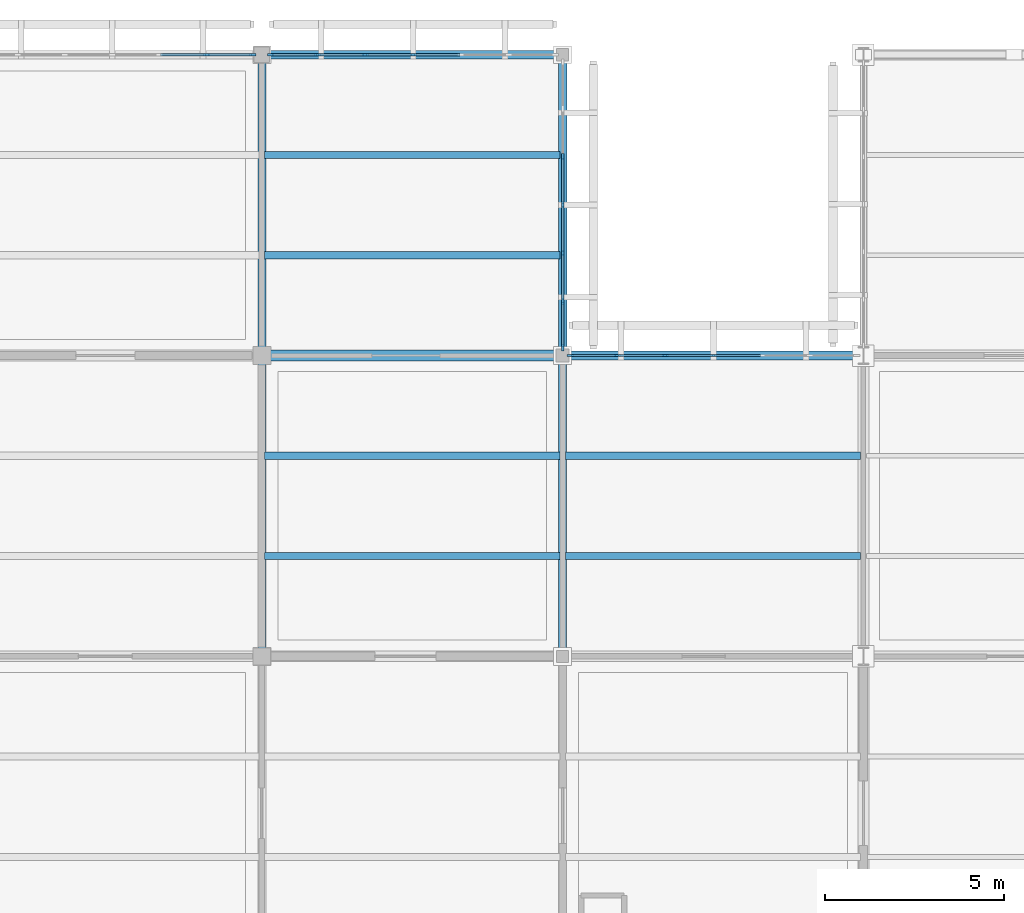
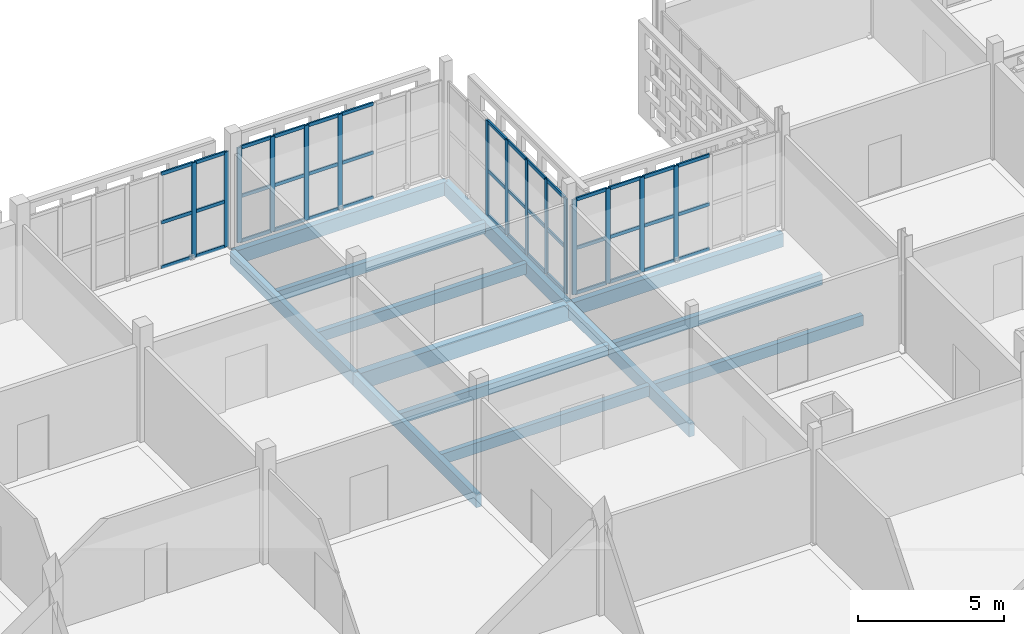
# One storey, part 49 of 203: 57 members, 13 beams, 4 elements without a shape of their own.
"""IFC4 building model written with IfcOpenShell, lengths in metres."""

import ifcopenshell
import ifcopenshell.guid

model = None  # the IFC model being written
_history = None  # IfcOwnerHistory: only IFC2X3 demands one
_inside = {}  # id of a spatial element -> (the spatial element, [elements in it])
_under = {}  # id of a project, library or spatial element -> (it, [spatial elements below it])
_declared = {}  # id of a project -> (the project, [libraries it declares])
_typed = {}  # id of a type object -> (the type object, [elements of that type])
_made_of = {}  # id of a material, layer set ... -> (it, [elements and type objects made of it])


def new_model(schema):
    """Start an empty IFC model of exactly this schema.

    Asked for "IFC4X3", IfcOpenShell would pick the latest addendum, in which some entities
    have other attributes; the version numbers below select the first issue.
    IFC2X3 requires an IfcOwnerHistory on every rooted entity: one is made here for all.
    """
    global model, _history
    if schema == "IFC4X3":
        model = ifcopenshell.file(schema_version=(4, 3, 0, 0))
    else:
        model = ifcopenshell.file(schema=schema)
    _inside.clear()
    _under.clear()
    _declared.clear()
    _typed.clear()
    _made_of.clear()
    _history = None
    if model.schema == "IFC2X3":
        org = make("IfcOrganization", Name="unknown")
        user = make(
            "IfcPersonAndOrganization",
            ThePerson=make("IfcPerson", FamilyName="unknown"),
            TheOrganization=org,
        )
        app = make(
            "IfcApplication",
            ApplicationDeveloper=org,
            Version="unknown",
            ApplicationFullName="unknown",
            ApplicationIdentifier="unknown",
        )
        _history = make(
            "IfcOwnerHistory",
            OwningUser=user,
            OwningApplication=app,
            ChangeAction="ADDED",
            CreationDate=0,
        )
    return model


def make(cls, **values):
    """One entity of the class cls with the attributes given. An attribute that is None is left unset."""
    return model.create_entity(
        cls, **{name: value for name, value in values.items() if value is not None}
    )


def rooted(cls, **values):
    """An entity with a GlobalId (a new one), such as an element, a storey or a relation."""
    return make(cls, GlobalId=ifcopenshell.guid.new(), OwnerHistory=_history, **values)


def si_unit(unit_type, name, prefix=None):
    """IfcSIUnit, for example si_unit("LENGTHUNIT", "METRE", prefix="MILLI")."""
    return make("IfcSIUnit", UnitType=unit_type, Prefix=prefix, Name=name)


def assignment(units):
    """IfcUnitAssignment: the units of a project."""
    return None if units is None else make("IfcUnitAssignment", Units=units)


def point(xyz):
    """IfcCartesianPoint."""
    return None if xyz is None else make("IfcCartesianPoint", Coordinates=xyz)


def direction(xyz):
    """IfcDirection."""
    return None if xyz is None else make("IfcDirection", DirectionRatios=xyz)


def frame(location, z_axis=None, x_axis=None):
    """IfcAxis2Placement3D, a coordinate frame: its origin and axes. An axis left out is left unset."""
    return make(
        "IfcAxis2Placement3D",
        Location=point(location),
        Axis=direction(z_axis),
        RefDirection=direction(x_axis),
    )


def frame_2d(location, x_axis=None):
    """IfcAxis2Placement2D, a coordinate frame in the plane: its origin and x axis."""
    return make(
        "IfcAxis2Placement2D", Location=point(location), RefDirection=direction(x_axis)
    )


def origin():
    """The frame at (0, 0, 0) with its axes left unset."""
    return frame((0.0, 0.0, 0.0))


def origin_2d():
    """The frame at (0, 0) in the plane with its x axis left unset."""
    return frame_2d((0.0, 0.0))


def place(relative_to, where):
    """IfcLocalPlacement: puts the frame where relative to a parent placement (None: the world)."""
    return make(
        "IfcLocalPlacement", PlacementRelTo=relative_to, RelativePlacement=where
    )


def context(
    kind, dimensions, precision=None, world=None, true_north=None, identifier=None
):
    """IfcGeometricRepresentationContext, for example the 3D "Model" context."""
    return make(
        "IfcGeometricRepresentationContext",
        ContextIdentifier=identifier,
        ContextType=kind,
        CoordinateSpaceDimension=dimensions,
        Precision=precision,
        WorldCoordinateSystem=world,
        TrueNorth=true_north,
    )


def subcontext(parent, identifier, kind, view, scale=None):
    """IfcGeometricRepresentationSubContext, for example "Body" below "Model"."""
    return make(
        "IfcGeometricRepresentationSubContext",
        ContextIdentifier=identifier,
        ContextType=kind,
        ParentContext=parent,
        TargetScale=scale,
        TargetView=view,
    )


def project(units=None, contexts=None):
    """IfcProject with its units and contexts."""
    return rooted(
        "IfcProject",
        Name="project",
        RepresentationContexts=contexts,
        UnitsInContext=assignment(units),
    )


def spatial(cls, under=None, at=None, **own):
    """A site, building, storey or space (cls), placed at a placement, below another one or the project."""
    s = rooted(cls, ObjectPlacement=at, **own)
    if under is not None:
        _under.setdefault(under.id(), (under, []))[1].append(s)
    return s


def profile(cls, at=None, kind="AREA", **sizes):
    """A parametric profile (cls). Its sizes go by their IFC names, for example OverallWidth=200.0."""
    return make(cls, ProfileType=kind, Position=at, **sizes)


def rectangle(**sizes):
    """IfcRectangleProfileDef."""
    return profile("IfcRectangleProfileDef", **sizes)


def extrude(swept, where, along, depth):
    """IfcExtrudedAreaSolid: the profile swept, set in the frame where, extruded along a direction by depth."""
    return make(
        "IfcExtrudedAreaSolid",
        SweptArea=swept,
        Position=where,
        ExtrudedDirection=direction(along),
        Depth=depth,
    )


def shape(context_of_items, identifier, shape_type, items):
    """IfcShapeRepresentation: the items that make up one representation, for example the "Body"."""
    return make(
        "IfcShapeRepresentation",
        ContextOfItems=context_of_items,
        RepresentationIdentifier=identifier,
        RepresentationType=shape_type,
        Items=items,
    )


def material(Name=None, Category=None):
    """IfcMaterial."""
    return make("IfcMaterial", Name=Name, Category=Category)


def layer(
    of_material, thickness, ventilated=None, Name=None, Category=None, Priority=None
):
    """IfcMaterialLayer: one layer of a wall or slab, of a material (None: an air gap)."""
    return make(
        "IfcMaterialLayer",
        Material=of_material,
        LayerThickness=thickness,
        IsVentilated=ventilated,
        Name=Name,
        Category=Category,
        Priority=Priority,
    )


def layer_set(layers, Name=None):
    """IfcMaterialLayerSet."""
    return make("IfcMaterialLayerSet", MaterialLayers=layers, LayerSetName=Name)


def material_profile(
    of_material, cross_section, Name=None, Category=None, Priority=None
):
    """IfcMaterialProfile: a cross section and its material."""
    return make(
        "IfcMaterialProfile",
        Name=Name,
        Material=of_material,
        Profile=cross_section,
        Priority=Priority,
        Category=Category,
    )


def profile_set(profiles, Name=None, composite=None):
    """IfcMaterialProfileSet."""
    return make(
        "IfcMaterialProfileSet",
        Name=Name,
        MaterialProfiles=profiles,
        CompositeProfile=composite,
    )


def made_of(thing, what):
    """Note that an element or type object is made of a material, layer set ...; save() writes the relation."""
    if what is not None:
        _made_of.setdefault(what.id(), (what, []))[1].append(thing)
    return thing


def type_object(cls, material=None, **own):
    """A type object (cls), such as IfcWallType, which elements share."""
    return made_of(rooted(cls, **own), material)


def element(
    cls,
    number,
    at=None,
    inside=None,
    cuts=None,
    type_object=None,
    material=None,
    context=None,
    identifier="Body",
    shape_type=None,
    held_by="IfcProductDefinitionShape",
    body=None,
    shapes=None,
    **own,
):
    """One element of the class cls, such as IfcWall. Its Tag is "e" and its number.

    at: its placement. inside: the storey or other place that contains it. cuts: it is an
    opening in that element (IfcRelVoidsElement). A single representation is given by context,
    identifier, shape_type and body (its items); several are given by shapes. held_by: the class
    of the entity that holds the representations. save() writes the other relations.
    """
    e = rooted(cls, Tag="e%d" % number, ObjectPlacement=at, **own)
    if body is not None:
        shapes = [shape(context, identifier, shape_type, body)]
    if shapes is not None:
        e.Representation = make(held_by, Representations=shapes)
    if inside is not None:
        _inside.setdefault(inside.id(), (inside, []))[1].append(e)
    if cuts is not None:
        rooted(
            "IfcRelVoidsElement", RelatingBuildingElement=cuts, RelatedOpeningElement=e
        )
    if type_object is not None:
        _typed.setdefault(type_object.id(), (type_object, []))[1].append(e)
    return made_of(e, material)


def aggregate(whole, parts):
    """IfcRelAggregates: a whole, such as a stair, and the parts it consists of."""
    return rooted("IfcRelAggregates", RelatingObject=whole, RelatedObjects=parts)


def save(model, path):
    """Write the relations noted so far, then the file.

    IfcRelAggregates (storeys below a building ...), IfcRelContainedInSpatialStructure (elements
    in a storey), IfcRelDefinesByType, IfcRelAssociatesMaterial and IfcRelDeclares: one each for
    every whole, place, type object, material and project.
    """
    for whole, parts in _under.values():
        aggregate(whole, parts)
    for where, things in _inside.values():
        rooted(
            "IfcRelContainedInSpatialStructure",
            RelatedElements=things,
            RelatingStructure=where,
        )
    for kind, things in _typed.values():
        rooted("IfcRelDefinesByType", RelatedObjects=things, RelatingType=kind)
    for what, things in _made_of.values():
        rooted("IfcRelAssociatesMaterial", RelatedObjects=things, RelatingMaterial=what)
    for by, libraries in _declared.values():
        rooted("IfcRelDeclares", RelatingContext=by, RelatedDefinitions=libraries)
    model.write(path)


model = new_model("IFC4")

# Units and contexts
model_context = context("Model", 3, precision=1e-05, world=origin(), true_north=direction((0.0, 1.0)))
body_context = subcontext(model_context, "Body", "Model", "MODEL_VIEW")
ifc_project = project(units=[si_unit("LENGTHUNIT", "METRE"), si_unit("AREAUNIT", "SQUARE_METRE"), si_unit("VOLUMEUNIT", "CUBIC_METRE"), si_unit("PLANEANGLEUNIT", "RADIAN"), si_unit("MASSUNIT", "GRAM", prefix="KILO")], contexts=[model_context])

# Site, building, storey
site_placement = place(None, origin())
site = spatial("IfcSite", under=ifc_project, at=site_placement, CompositionType="ELEMENT")
building_placement = place(site_placement, origin())
building = spatial("IfcBuilding", under=site, at=building_placement, Name="Varnapada Polytechnic", CompositionType="ELEMENT")
storey_placement = place(building_placement, frame((0.0, 0.0, 4.800048828125)))
storey = spatial("IfcBuildingStorey", under=building, at=storey_placement, Name="L01", CompositionType="ELEMENT", Elevation=4.800048828125)

# Beams
ifc_material_1 = material(Name="Glulam GL32h", Category="wood")
ifc_material_profile_1 = material_profile(ifc_material_1, rectangle(XDim=0.199951171875, YDim=0.43994140625, at=origin_2d()), Name="GL 200x440")
ifc_profile_set_1 = profile_set([ifc_material_profile_1], Name="Glulam GL32h")
beam_type_1 = type_object("IfcBeamType", Name="Heavy laboratory glulam joist GJ-03 (GL 200x440)", PredefinedType="JOIST", material=ifc_profile_set_1)
for number, where, z_axis, x_axis, name in (
    (1, (33.679931640625, 112.0, -0.469970703125), (1.0, 0.0, 0.0), (0.0, 1.0, 0.0), "L01 floor joist 5/14.1"),
    (2, (33.679931640625, 114.800048828125, -0.469970703125), (1.0, 0.0, 0.0), (0.0, 1.0, 0.0), "L01 floor joist 5/14.2"),
    (3, (33.679931640625, 120.39990234375, -0.469970703125), (1.0, 0.0, 0.0), (0.0, 1.0, 0.0), "L01 floor joist 5/15.1"),
    (4, (33.679931640625, 123.199951171875, -0.469970703125), (1.0, 0.0, 0.0), (0.0, 1.0, 0.0), "L01 floor joist 5/15.2"),
    (5, (42.080078125, 112.0, -0.47998046875), (1.0, 0.0, 0.0), (0.0, 1.0, 0.0), "L01 floor joist 6/14.1"),
    (6, (42.080078125, 114.800048828125, -0.47998046875), (1.0, 0.0, 0.0), (0.0, 1.0, 0.0), "L01 floor joist 6/14.2"),
):
    element("IfcBeam", number, at=place(storey_placement, frame(where, z_axis=z_axis, x_axis=x_axis)), inside=storey, type_object=beam_type_1, Name=name, PredefinedType="JOIST", context=body_context, shape_type="SweptSolid", body=[
        extrude(rectangle(XDim=0.199951171875, YDim=0.43994140625, at=origin_2d()), origin(), (0.0, 0.0, 1.0), 8.239990234375),
    ])
ifc_material_profile_2 = material_profile(ifc_material_1, rectangle(XDim=0.219970703125, YDim=0.52001953125, at=origin_2d()), Name="GL 220x520")
ifc_profile_set_2 = profile_set([ifc_material_profile_2], Name="Glulam GL32h")
beam_type_2 = type_object("IfcBeamType", Name="Laboratory transverse glulam beam GB-12 (GL 220x520)", PredefinedType="BEAM", material=ifc_profile_set_2)
beam_1_placement = place(storey_placement, frame((33.60009765625, 109.199951171875, -0.510009765625), z_axis=(0.0, 1.0, 0.0), x_axis=(-1.0, 0.0, 0.0)))
element("IfcBeam", 7, at=beam_1_placement, inside=storey, type_object=beam_type_2, Name="L01 beam Y 14-15 at X5", PredefinedType="BEAM", context=body_context, shape_type="SweptSolid", body=[
    extrude(rectangle(XDim=0.219970703125, YDim=0.52001953125, at=origin_2d()), origin(), (0.0, 0.0, 1.0), 8.400146484375),
])
beam_2_placement = place(storey_placement, frame((33.60009765625, 117.60009765625, -0.510009765625), z_axis=(0.0, 1.0, 0.0), x_axis=(-1.0, 0.0, 0.0)))
element("IfcBeam", 8, at=beam_2_placement, inside=storey, type_object=beam_type_2, Name="L01 beam Y 15-16 at X5", PredefinedType="BEAM", context=body_context, shape_type="SweptSolid", body=[
    extrude(rectangle(XDim=0.219970703125, YDim=0.52001953125, at=origin_2d()), origin(), (0.0, 0.0, 1.0), 8.39990234375),
])
beam_3_placement = place(storey_placement, frame((42.0, 109.199951171875, -0.510009765625), z_axis=(0.0, 1.0, 0.0), x_axis=(-1.0, 0.0, 0.0)))
element("IfcBeam", 9, at=beam_3_placement, inside=storey, type_object=beam_type_2, Name="L01 beam Y 14-15 at X6", PredefinedType="BEAM", context=body_context, shape_type="SweptSolid", body=[
    extrude(rectangle(XDim=0.219970703125, YDim=0.52001953125, at=origin_2d()), origin(), (0.0, 0.0, 1.0), 8.400146484375),
])

# Curtain wall, members
ifc_material_2 = material(Name="Double low-E laminated glass", Category="glass")
ifc_layer = layer(ifc_material_2, 0.179931640625)
ifc_layer_set = layer_set([ifc_layer], Name="Double low-E laminated glass")
curtain_wall_type = type_object("IfcCurtainWallType", Name="Curtain Wall CW-03", PredefinedType="NOTDEFINED", material=ifc_layer_set)
curtain_wall_1_placement = place(storey_placement, origin())
curtain_wall_1 = element("IfcCurtainWall", 10, at=curtain_wall_1_placement, inside=storey, type_object=curtain_wall_type, Name="L01 unitised curtain wall CW-03 (34)", PredefinedType="NOTDEFINED")
ifc_material_3 = material(Name="Anodised aluminium", Category="aluminium")
ifc_material_profile_3 = material_profile(ifc_material_3, rectangle(XDim=0.06494140625, YDim=0.179931640625, at=origin_2d()), Name="ALU M65x180")
ifc_profile_set_3 = profile_set([ifc_material_profile_3], Name="Anodised aluminium")
member_type_1 = type_object("IfcMemberType", Name="Mullion M-02", PredefinedType="MULLION", material=ifc_profile_set_3)
member_1_placement = place(storey_placement, frame((32.06005859375, 126.0, 0.0), z_axis=(0.0, 0.0, 1.0), x_axis=(0.0, 1.0, 0.0)))
member_1 = element("IfcMember", 11, at=member_1_placement, type_object=member_type_1, Name="CW-03 mullion 6", PredefinedType="MULLION", context=body_context, shape_type="SweptSolid", body=[
    extrude(rectangle(XDim=0.06494140625, YDim=0.179931640625, at=origin_2d()), origin(), (0.0, 0.0, 1.0), 3.9599609375),
])
member_2_placement = place(storey_placement, frame((33.347412109375, 126.0, 0.0), z_axis=(0.0, 0.0, 1.0), x_axis=(0.0, 1.0, 0.0)))
member_2 = element("IfcMember", 12, at=member_2_placement, type_object=member_type_1, Name="CW-03 mullion 7", PredefinedType="MULLION", context=body_context, shape_type="SweptSolid", body=[
    extrude(rectangle(XDim=0.06494140625, YDim=0.179931640625, at=origin_2d()), origin(), (0.0, 0.0, 1.0), 3.9599609375),
])

curtain_wall_2_placement = place(storey_placement, origin())
curtain_wall_2 = element("IfcCurtainWall", 13, at=curtain_wall_2_placement, inside=storey, type_object=curtain_wall_type, Name="L01 unitised curtain wall CW-03 (41)", PredefinedType="NOTDEFINED")
member_3_placement = place(storey_placement, frame((33.8525390625, 126.0, 0.0), z_axis=(0.0, 0.0, 1.0), x_axis=(0.0, 1.0, 0.0)))
member_3 = element("IfcMember", 14, at=member_3_placement, type_object=member_type_1, Name="CW-03 mullion 1", PredefinedType="MULLION", context=body_context, shape_type="SweptSolid", body=[
    extrude(rectangle(XDim=0.06494140625, YDim=0.179931640625, at=origin_2d()), origin(), (0.0, 0.0, 1.0), 3.9599609375),
])
member_4_placement = place(storey_placement, frame((35.155029296875, 126.0, 0.0), z_axis=(0.0, 0.0, 1.0), x_axis=(0.0, 1.0, 0.0)))
member_4 = element("IfcMember", 15, at=member_4_placement, type_object=member_type_1, Name="CW-03 mullion 2", PredefinedType="MULLION", context=body_context, shape_type="SweptSolid", body=[
    extrude(rectangle(XDim=0.06494140625, YDim=0.179931640625, at=origin_2d()), origin(), (0.0, 0.0, 1.0), 3.9599609375),
])
member_5_placement = place(storey_placement, frame((36.489990234375, 126.0, 0.0), z_axis=(0.0, 0.0, 1.0), x_axis=(0.0, 1.0, 0.0)))
member_5 = element("IfcMember", 16, at=member_5_placement, type_object=member_type_1, Name="CW-03 mullion 3", PredefinedType="MULLION", context=body_context, shape_type="SweptSolid", body=[
    extrude(rectangle(XDim=0.06494140625, YDim=0.179931640625, at=origin_2d()), origin(), (0.0, 0.0, 1.0), 3.9599609375),
])
member_6_placement = place(storey_placement, frame((37.824951171875, 126.0, 0.0), z_axis=(0.0, 0.0, 1.0), x_axis=(0.0, 1.0, 0.0)))
member_6 = element("IfcMember", 17, at=member_6_placement, type_object=member_type_1, Name="CW-03 mullion 4", PredefinedType="MULLION", context=body_context, shape_type="SweptSolid", body=[
    extrude(rectangle(XDim=0.06494140625, YDim=0.179931640625, at=origin_2d()), origin(), (0.0, 0.0, 1.0), 3.9599609375),
])

curtain_wall_3_placement = place(storey_placement, origin())
curtain_wall_3 = element("IfcCurtainWall", 18, at=curtain_wall_3_placement, inside=storey, type_object=curtain_wall_type, Name="L01 unitised curtain wall CW-03 (42)", PredefinedType="NOTDEFINED")
member_7_placement = place(storey_placement, frame((42.0, 123.146728515625, 0.0), z_axis=(0.0, 0.0, 1.0), x_axis=(1.0, 0.0, 0.0)))
member_7 = element("IfcMember", 19, at=member_7_placement, type_object=member_type_1, Name="CW-03 mullion 3", PredefinedType="MULLION", context=body_context, shape_type="SweptSolid", body=[
    extrude(rectangle(XDim=0.06494140625, YDim=0.179931640625, at=origin_2d()), origin(), (0.0, 0.0, 1.0), 3.9599609375),
])
member_8_placement = place(storey_placement, frame((42.0, 121.804931640625, 0.0), z_axis=(0.0, 0.0, 1.0), x_axis=(1.0, 0.0, 0.0)))
member_8 = element("IfcMember", 20, at=member_8_placement, type_object=member_type_1, Name="CW-03 mullion 4", PredefinedType="MULLION", context=body_context, shape_type="SweptSolid", body=[
    extrude(rectangle(XDim=0.06494140625, YDim=0.179931640625, at=origin_2d()), origin(), (0.0, 0.0, 1.0), 3.9599609375),
])
member_9_placement = place(storey_placement, frame((42.0, 120.46337890625, 0.0), z_axis=(0.0, 0.0, 1.0), x_axis=(1.0, 0.0, 0.0)))
member_9 = element("IfcMember", 21, at=member_9_placement, type_object=member_type_1, Name="CW-03 mullion 5", PredefinedType="MULLION", context=body_context, shape_type="SweptSolid", body=[
    extrude(rectangle(XDim=0.06494140625, YDim=0.179931640625, at=origin_2d()), origin(), (0.0, 0.0, 1.0), 3.9599609375),
])
member_10_placement = place(storey_placement, frame((42.0, 119.12158203125, 0.0), z_axis=(0.0, 0.0, 1.0), x_axis=(1.0, 0.0, 0.0)))
member_10 = element("IfcMember", 22, at=member_10_placement, type_object=member_type_1, Name="CW-03 mullion 6", PredefinedType="MULLION", context=body_context, shape_type="SweptSolid", body=[
    extrude(rectangle(XDim=0.06494140625, YDim=0.179931640625, at=origin_2d()), origin(), (0.0, 0.0, 1.0), 3.9599609375),
])
member_11_placement = place(storey_placement, frame((42.0, 117.8125, 0.0), z_axis=(0.0, 0.0, 1.0), x_axis=(1.0, 0.0, 0.0)))
member_11 = element("IfcMember", 23, at=member_11_placement, type_object=member_type_1, Name="CW-03 mullion 7", PredefinedType="MULLION", context=body_context, shape_type="SweptSolid", body=[
    extrude(rectangle(XDim=0.06494140625, YDim=0.179931640625, at=origin_2d()), origin(), (0.0, 0.0, 1.0), 3.9599609375),
])

curtain_wall_4_placement = place(storey_placement, origin())
curtain_wall_4 = element("IfcCurtainWall", 24, at=curtain_wall_4_placement, inside=storey, type_object=curtain_wall_type, Name="L01 unitised curtain wall CW-03 (47)", PredefinedType="NOTDEFINED")
member_12_placement = place(storey_placement, frame((42.21240234375, 117.60009765625, 0.0), z_axis=(0.0, 0.0, 1.0), x_axis=(0.0, 1.0, 0.0)))
member_12 = element("IfcMember", 25, at=member_12_placement, type_object=member_type_1, Name="CW-03 mullion 1", PredefinedType="MULLION", context=body_context, shape_type="SweptSolid", body=[
    extrude(rectangle(XDim=0.06494140625, YDim=0.179931640625, at=origin_2d()), origin(), (0.0, 0.0, 1.0), 3.9599609375),
])
member_13_placement = place(storey_placement, frame((43.52490234375, 117.60009765625, 0.0), z_axis=(0.0, 0.0, 1.0), x_axis=(0.0, 1.0, 0.0)))
member_13 = element("IfcMember", 26, at=member_13_placement, type_object=member_type_1, Name="CW-03 mullion 2", PredefinedType="MULLION", context=body_context, shape_type="SweptSolid", body=[
    extrude(rectangle(XDim=0.06494140625, YDim=0.179931640625, at=origin_2d()), origin(), (0.0, 0.0, 1.0), 3.9599609375),
])
member_14_placement = place(storey_placement, frame((44.8701171875, 117.60009765625, 0.0), z_axis=(0.0, 0.0, 1.0), x_axis=(0.0, 1.0, 0.0)))
member_14 = element("IfcMember", 27, at=member_14_placement, type_object=member_type_1, Name="CW-03 mullion 3", PredefinedType="MULLION", context=body_context, shape_type="SweptSolid", body=[
    extrude(rectangle(XDim=0.06494140625, YDim=0.179931640625, at=origin_2d()), origin(), (0.0, 0.0, 1.0), 3.9599609375),
])
member_15_placement = place(storey_placement, frame((46.215087890625, 117.60009765625, 0.0), z_axis=(0.0, 0.0, 1.0), x_axis=(0.0, 1.0, 0.0)))
member_15 = element("IfcMember", 28, at=member_15_placement, type_object=member_type_1, Name="CW-03 mullion 4", PredefinedType="MULLION", context=body_context, shape_type="SweptSolid", body=[
    extrude(rectangle(XDim=0.06494140625, YDim=0.179931640625, at=origin_2d()), origin(), (0.0, 0.0, 1.0), 3.9599609375),
])

# Beams
ifc_material_profile_4 = material_profile(ifc_material_1, rectangle(XDim=0.239990234375, YDim=0.56005859375, at=origin_2d()), Name="GL 240x560")
ifc_profile_set_4 = profile_set([ifc_material_profile_4], Name="Glulam GL32h")
beam_type_3 = type_object("IfcBeamType", Name="Perimeter glulam spandrel beam SP-02 (GL 240x560)", PredefinedType="SPANDREL", material=ifc_profile_set_4)
for number, where, z_axis, x_axis, name in (
    (29, (33.60009765625, 126.0, -0.530029296875), (1.0, 0.0, 0.0), (0.0, 1.0, 0.0), "L01 beam X 5-6 at Y16"),
    (30, (42.0, 117.60009765625, -0.5400390625), (1.0, 0.0, 0.0), (0.0, 1.0, 0.0), "L01 beam X 6-7 at Y15"),
    (31, (42.0, 117.60009765625, -0.530029296875), (0.0, 1.0, 0.0), (-1.0, 0.0, 0.0), "L01 beam Y 15-16 at X6"),
):
    element("IfcBeam", number, at=place(storey_placement, frame(where, z_axis=z_axis, x_axis=x_axis)), inside=storey, type_object=beam_type_3, Name=name, PredefinedType="SPANDREL", context=body_context, shape_type="SweptSolid", body=[
        extrude(rectangle(XDim=0.239990234375, YDim=0.56005859375, at=origin_2d()), origin(), (0.0, 0.0, 1.0), 8.39990234375),
    ])

# Member
ifc_material_profile_5 = material_profile(ifc_material_3, rectangle(XDim=0.06494140625, YDim=0.139892578125, at=origin_2d()), Name="ALU T65x140")
ifc_profile_set_5 = profile_set([ifc_material_profile_5], Name="Anodised aluminium")
member_type_2 = type_object("IfcMemberType", Name="Transom T-02", PredefinedType="USERDEFINED", material=ifc_profile_set_5)
member_16_placement = place(storey_placement, frame((30.7724609375, 126.0, 0.032470703125), z_axis=(1.0, 0.0, 0.0), x_axis=(0.0, 1.0, 0.0)))
member_16 = element("IfcMember", 32, at=member_16_placement, type_object=member_type_2, Name="CW-03 transom 5.1", ObjectType="TRANSOM", PredefinedType="USERDEFINED", context=body_context, shape_type="SweptSolid", body=[
    extrude(rectangle(XDim=0.06494140625, YDim=0.139892578125, at=origin_2d()), origin(), (0.0, 0.0, 1.0), 1.255126953125),
])

member_17_placement = place(storey_placement, frame((30.7724609375, 126.0, 1.900634765625), z_axis=(1.0, 0.0, 0.0), x_axis=(0.0, 1.0, 0.0)))
member_17 = element("IfcMember", 33, at=member_17_placement, type_object=member_type_2, Name="CW-03 transom 5.2", ObjectType="TRANSOM", PredefinedType="USERDEFINED", context=body_context, shape_type="SweptSolid", body=[
    extrude(rectangle(XDim=0.06494140625, YDim=0.139892578125, at=origin_2d()), origin(), (0.0, 0.0, 1.0), 1.255126953125),
])

member_18_placement = place(storey_placement, frame((30.7724609375, 126.0, 3.927490234375), z_axis=(1.0, 0.0, 0.0), x_axis=(0.0, 1.0, 0.0)))
member_18 = element("IfcMember", 34, at=member_18_placement, type_object=member_type_2, Name="CW-03 transom 5.3", ObjectType="TRANSOM", PredefinedType="USERDEFINED", context=body_context, shape_type="SweptSolid", body=[
    extrude(rectangle(XDim=0.06494140625, YDim=0.139892578125, at=origin_2d()), origin(), (0.0, 0.0, 1.0), 1.255126953125),
])

member_19_placement = place(storey_placement, frame((32.092529296875, 126.0, 0.032470703125), z_axis=(1.0, 0.0, 0.0), x_axis=(0.0, 1.0, 0.0)))
member_19 = element("IfcMember", 35, at=member_19_placement, type_object=member_type_2, Name="CW-03 transom 6.1", ObjectType="TRANSOM", PredefinedType="USERDEFINED", context=body_context, shape_type="SweptSolid", body=[
    extrude(rectangle(XDim=0.06494140625, YDim=0.139892578125, at=origin_2d()), origin(), (0.0, 0.0, 1.0), 1.222412109375),
])

member_20_placement = place(storey_placement, frame((32.092529296875, 126.0, 1.900634765625), z_axis=(1.0, 0.0, 0.0), x_axis=(0.0, 1.0, 0.0)))
member_20 = element("IfcMember", 36, at=member_20_placement, type_object=member_type_2, Name="CW-03 transom 6.2", ObjectType="TRANSOM", PredefinedType="USERDEFINED", context=body_context, shape_type="SweptSolid", body=[
    extrude(rectangle(XDim=0.06494140625, YDim=0.139892578125, at=origin_2d()), origin(), (0.0, 0.0, 1.0), 1.222412109375),
])

member_21_placement = place(storey_placement, frame((32.092529296875, 126.0, 3.927490234375), z_axis=(1.0, 0.0, 0.0), x_axis=(0.0, 1.0, 0.0)))
member_21 = element("IfcMember", 37, at=member_21_placement, type_object=member_type_2, Name="CW-03 transom 6.3", ObjectType="TRANSOM", PredefinedType="USERDEFINED", context=body_context, shape_type="SweptSolid", body=[
    extrude(rectangle(XDim=0.06494140625, YDim=0.139892578125, at=origin_2d()), origin(), (0.0, 0.0, 1.0), 1.222412109375),
])

aggregate(curtain_wall_1, [member_1, member_2, member_16, member_17, member_18, member_19, member_20, member_21])

member_22_placement = place(storey_placement, frame((33.885009765625, 126.0, 0.032470703125), z_axis=(1.0, 0.0, 0.0), x_axis=(0.0, 1.0, 0.0)))
member_22 = element("IfcMember", 38, at=member_22_placement, type_object=member_type_2, Name="CW-03 transom 1.1", ObjectType="TRANSOM", PredefinedType="USERDEFINED", context=body_context, shape_type="SweptSolid", body=[
    extrude(rectangle(XDim=0.06494140625, YDim=0.139892578125, at=origin_2d()), origin(), (0.0, 0.0, 1.0), 1.237548828125),
])

member_23_placement = place(storey_placement, frame((33.885009765625, 126.0, 1.900634765625), z_axis=(1.0, 0.0, 0.0), x_axis=(0.0, 1.0, 0.0)))
member_23 = element("IfcMember", 39, at=member_23_placement, type_object=member_type_2, Name="CW-03 transom 1.2", ObjectType="TRANSOM", PredefinedType="USERDEFINED", context=body_context, shape_type="SweptSolid", body=[
    extrude(rectangle(XDim=0.06494140625, YDim=0.139892578125, at=origin_2d()), origin(), (0.0, 0.0, 1.0), 1.237548828125),
])

member_24_placement = place(storey_placement, frame((33.885009765625, 126.0, 3.927490234375), z_axis=(1.0, 0.0, 0.0), x_axis=(0.0, 1.0, 0.0)))
member_24 = element("IfcMember", 40, at=member_24_placement, type_object=member_type_2, Name="CW-03 transom 1.3", ObjectType="TRANSOM", PredefinedType="USERDEFINED", context=body_context, shape_type="SweptSolid", body=[
    extrude(rectangle(XDim=0.06494140625, YDim=0.139892578125, at=origin_2d()), origin(), (0.0, 0.0, 1.0), 1.237548828125),
])

member_25_placement = place(storey_placement, frame((35.1875, 126.0, 0.032470703125), z_axis=(1.0, 0.0, 0.0), x_axis=(0.0, 1.0, 0.0)))
member_25 = element("IfcMember", 41, at=member_25_placement, type_object=member_type_2, Name="CW-03 transom 2.1", ObjectType="TRANSOM", PredefinedType="USERDEFINED", context=body_context, shape_type="SweptSolid", body=[
    extrude(rectangle(XDim=0.06494140625, YDim=0.139892578125, at=origin_2d()), origin(), (0.0, 0.0, 1.0), 1.27001953125),
])

member_26_placement = place(storey_placement, frame((35.1875, 126.0, 1.900634765625), z_axis=(1.0, 0.0, 0.0), x_axis=(0.0, 1.0, 0.0)))
member_26 = element("IfcMember", 42, at=member_26_placement, type_object=member_type_2, Name="CW-03 transom 2.2", ObjectType="TRANSOM", PredefinedType="USERDEFINED", context=body_context, shape_type="SweptSolid", body=[
    extrude(rectangle(XDim=0.06494140625, YDim=0.139892578125, at=origin_2d()), origin(), (0.0, 0.0, 1.0), 1.27001953125),
])

member_27_placement = place(storey_placement, frame((35.1875, 126.0, 3.927490234375), z_axis=(1.0, 0.0, 0.0), x_axis=(0.0, 1.0, 0.0)))
member_27 = element("IfcMember", 43, at=member_27_placement, type_object=member_type_2, Name="CW-03 transom 2.3", ObjectType="TRANSOM", PredefinedType="USERDEFINED", context=body_context, shape_type="SweptSolid", body=[
    extrude(rectangle(XDim=0.06494140625, YDim=0.139892578125, at=origin_2d()), origin(), (0.0, 0.0, 1.0), 1.27001953125),
])

member_28_placement = place(storey_placement, frame((36.5224609375, 126.0, 0.032470703125), z_axis=(1.0, 0.0, 0.0), x_axis=(0.0, 1.0, 0.0)))
member_28 = element("IfcMember", 44, at=member_28_placement, type_object=member_type_2, Name="CW-03 transom 3.1", ObjectType="TRANSOM", PredefinedType="USERDEFINED", context=body_context, shape_type="SweptSolid", body=[
    extrude(rectangle(XDim=0.06494140625, YDim=0.139892578125, at=origin_2d()), origin(), (0.0, 0.0, 1.0), 1.27001953125),
])

member_29_placement = place(storey_placement, frame((36.5224609375, 126.0, 1.900634765625), z_axis=(1.0, 0.0, 0.0), x_axis=(0.0, 1.0, 0.0)))
member_29 = element("IfcMember", 45, at=member_29_placement, type_object=member_type_2, Name="CW-03 transom 3.2", ObjectType="TRANSOM", PredefinedType="USERDEFINED", context=body_context, shape_type="SweptSolid", body=[
    extrude(rectangle(XDim=0.06494140625, YDim=0.139892578125, at=origin_2d()), origin(), (0.0, 0.0, 1.0), 1.27001953125),
])

member_30_placement = place(storey_placement, frame((36.5224609375, 126.0, 3.927490234375), z_axis=(1.0, 0.0, 0.0), x_axis=(0.0, 1.0, 0.0)))
member_30 = element("IfcMember", 46, at=member_30_placement, type_object=member_type_2, Name="CW-03 transom 3.3", ObjectType="TRANSOM", PredefinedType="USERDEFINED", context=body_context, shape_type="SweptSolid", body=[
    extrude(rectangle(XDim=0.06494140625, YDim=0.139892578125, at=origin_2d()), origin(), (0.0, 0.0, 1.0), 1.27001953125),
])

member_31_placement = place(storey_placement, frame((37.857421875, 126.0, 0.032470703125), z_axis=(1.0, 0.0, 0.0), x_axis=(0.0, 1.0, 0.0)))
member_31 = element("IfcMember", 47, at=member_31_placement, type_object=member_type_2, Name="CW-03 transom 4.1", ObjectType="TRANSOM", PredefinedType="USERDEFINED", context=body_context, shape_type="SweptSolid", body=[
    extrude(rectangle(XDim=0.06494140625, YDim=0.139892578125, at=origin_2d()), origin(), (0.0, 0.0, 1.0), 1.27001953125),
])

member_32_placement = place(storey_placement, frame((37.857421875, 126.0, 1.900634765625), z_axis=(1.0, 0.0, 0.0), x_axis=(0.0, 1.0, 0.0)))
member_32 = element("IfcMember", 48, at=member_32_placement, type_object=member_type_2, Name="CW-03 transom 4.2", ObjectType="TRANSOM", PredefinedType="USERDEFINED", context=body_context, shape_type="SweptSolid", body=[
    extrude(rectangle(XDim=0.06494140625, YDim=0.139892578125, at=origin_2d()), origin(), (0.0, 0.0, 1.0), 1.27001953125),
])

member_33_placement = place(storey_placement, frame((37.857421875, 126.0, 3.927490234375), z_axis=(1.0, 0.0, 0.0), x_axis=(0.0, 1.0, 0.0)))
member_33 = element("IfcMember", 49, at=member_33_placement, type_object=member_type_2, Name="CW-03 transom 4.3", ObjectType="TRANSOM", PredefinedType="USERDEFINED", context=body_context, shape_type="SweptSolid", body=[
    extrude(rectangle(XDim=0.06494140625, YDim=0.139892578125, at=origin_2d()), origin(), (0.0, 0.0, 1.0), 1.27001953125),
])

aggregate(curtain_wall_2, [member_3, member_4, member_5, member_6, member_22, member_23, member_24, member_25, member_26, member_27, member_28, member_29, member_30, member_31, member_32, member_33])

member_34_placement = place(storey_placement, frame((42.0, 123.1142578125, 0.032470703125), z_axis=(0.0, -1.0, 0.0), x_axis=(1.0, 0.0, 0.0)))
member_34 = element("IfcMember", 50, at=member_34_placement, type_object=member_type_2, Name="CW-03 transom 3.1", ObjectType="TRANSOM", PredefinedType="USERDEFINED", context=body_context, shape_type="SweptSolid", body=[
    extrude(rectangle(XDim=0.06494140625, YDim=0.139892578125, at=origin_2d()), origin(), (0.0, 0.0, 1.0), 1.27685546875),
])

member_35_placement = place(storey_placement, frame((42.0, 123.1142578125, 1.900634765625), z_axis=(0.0, -1.0, 0.0), x_axis=(1.0, 0.0, 0.0)))
member_35 = element("IfcMember", 51, at=member_35_placement, type_object=member_type_2, Name="CW-03 transom 3.2", ObjectType="TRANSOM", PredefinedType="USERDEFINED", context=body_context, shape_type="SweptSolid", body=[
    extrude(rectangle(XDim=0.06494140625, YDim=0.139892578125, at=origin_2d()), origin(), (0.0, 0.0, 1.0), 1.27685546875),
])

member_36_placement = place(storey_placement, frame((42.0, 123.1142578125, 3.927490234375), z_axis=(0.0, -1.0, 0.0), x_axis=(1.0, 0.0, 0.0)))
member_36 = element("IfcMember", 52, at=member_36_placement, type_object=member_type_2, Name="CW-03 transom 3.3", ObjectType="TRANSOM", PredefinedType="USERDEFINED", context=body_context, shape_type="SweptSolid", body=[
    extrude(rectangle(XDim=0.06494140625, YDim=0.139892578125, at=origin_2d()), origin(), (0.0, 0.0, 1.0), 1.27685546875),
])

member_37_placement = place(storey_placement, frame((42.0, 121.7724609375, 0.032470703125), z_axis=(0.0, -1.0, 0.0), x_axis=(1.0, 0.0, 0.0)))
member_37 = element("IfcMember", 53, at=member_37_placement, type_object=member_type_2, Name="CW-03 transom 4.1", ObjectType="TRANSOM", PredefinedType="USERDEFINED", context=body_context, shape_type="SweptSolid", body=[
    extrude(rectangle(XDim=0.06494140625, YDim=0.139892578125, at=origin_2d()), origin(), (0.0, 0.0, 1.0), 1.276611328125),
])

member_38_placement = place(storey_placement, frame((42.0, 121.7724609375, 1.900634765625), z_axis=(0.0, -1.0, 0.0), x_axis=(1.0, 0.0, 0.0)))
member_38 = element("IfcMember", 54, at=member_38_placement, type_object=member_type_2, Name="CW-03 transom 4.2", ObjectType="TRANSOM", PredefinedType="USERDEFINED", context=body_context, shape_type="SweptSolid", body=[
    extrude(rectangle(XDim=0.06494140625, YDim=0.139892578125, at=origin_2d()), origin(), (0.0, 0.0, 1.0), 1.276611328125),
])

member_39_placement = place(storey_placement, frame((42.0, 121.7724609375, 3.927490234375), z_axis=(0.0, -1.0, 0.0), x_axis=(1.0, 0.0, 0.0)))
member_39 = element("IfcMember", 55, at=member_39_placement, type_object=member_type_2, Name="CW-03 transom 4.3", ObjectType="TRANSOM", PredefinedType="USERDEFINED", context=body_context, shape_type="SweptSolid", body=[
    extrude(rectangle(XDim=0.06494140625, YDim=0.139892578125, at=origin_2d()), origin(), (0.0, 0.0, 1.0), 1.276611328125),
])

member_40_placement = place(storey_placement, frame((42.0, 120.430908203125, 0.032470703125), z_axis=(0.0, -1.0, 0.0), x_axis=(1.0, 0.0, 0.0)))
member_40 = element("IfcMember", 56, at=member_40_placement, type_object=member_type_2, Name="CW-03 transom 5.1", ObjectType="TRANSOM", PredefinedType="USERDEFINED", context=body_context, shape_type="SweptSolid", body=[
    extrude(rectangle(XDim=0.06494140625, YDim=0.139892578125, at=origin_2d()), origin(), (0.0, 0.0, 1.0), 1.27685546875),
])

member_41_placement = place(storey_placement, frame((42.0, 120.430908203125, 1.900634765625), z_axis=(0.0, -1.0, 0.0), x_axis=(1.0, 0.0, 0.0)))
member_41 = element("IfcMember", 57, at=member_41_placement, type_object=member_type_2, Name="CW-03 transom 5.2", ObjectType="TRANSOM", PredefinedType="USERDEFINED", context=body_context, shape_type="SweptSolid", body=[
    extrude(rectangle(XDim=0.06494140625, YDim=0.139892578125, at=origin_2d()), origin(), (0.0, 0.0, 1.0), 1.27685546875),
])

member_42_placement = place(storey_placement, frame((42.0, 120.430908203125, 3.927490234375), z_axis=(0.0, -1.0, 0.0), x_axis=(1.0, 0.0, 0.0)))
member_42 = element("IfcMember", 58, at=member_42_placement, type_object=member_type_2, Name="CW-03 transom 5.3", ObjectType="TRANSOM", PredefinedType="USERDEFINED", context=body_context, shape_type="SweptSolid", body=[
    extrude(rectangle(XDim=0.06494140625, YDim=0.139892578125, at=origin_2d()), origin(), (0.0, 0.0, 1.0), 1.27685546875),
])

member_43_placement = place(storey_placement, frame((42.0, 119.089111328125, 0.032470703125), z_axis=(0.0, -1.0, 0.0), x_axis=(1.0, 0.0, 0.0)))
member_43 = element("IfcMember", 59, at=member_43_placement, type_object=member_type_2, Name="CW-03 transom 6.1", ObjectType="TRANSOM", PredefinedType="USERDEFINED", context=body_context, shape_type="SweptSolid", body=[
    extrude(rectangle(XDim=0.06494140625, YDim=0.139892578125, at=origin_2d()), origin(), (0.0, 0.0, 1.0), 1.244140625),
])

member_44_placement = place(storey_placement, frame((42.0, 119.089111328125, 1.900634765625), z_axis=(0.0, -1.0, 0.0), x_axis=(1.0, 0.0, 0.0)))
member_44 = element("IfcMember", 60, at=member_44_placement, type_object=member_type_2, Name="CW-03 transom 6.2", ObjectType="TRANSOM", PredefinedType="USERDEFINED", context=body_context, shape_type="SweptSolid", body=[
    extrude(rectangle(XDim=0.06494140625, YDim=0.139892578125, at=origin_2d()), origin(), (0.0, 0.0, 1.0), 1.244140625),
])

member_45_placement = place(storey_placement, frame((42.0, 119.089111328125, 3.927490234375), z_axis=(0.0, -1.0, 0.0), x_axis=(1.0, 0.0, 0.0)))
member_45 = element("IfcMember", 61, at=member_45_placement, type_object=member_type_2, Name="CW-03 transom 6.3", ObjectType="TRANSOM", PredefinedType="USERDEFINED", context=body_context, shape_type="SweptSolid", body=[
    extrude(rectangle(XDim=0.06494140625, YDim=0.139892578125, at=origin_2d()), origin(), (0.0, 0.0, 1.0), 1.244140625),
])

aggregate(curtain_wall_3, [member_7, member_8, member_9, member_10, member_11, member_34, member_35, member_36, member_37, member_38, member_39, member_40, member_41, member_42, member_43, member_44, member_45])

member_46_placement = place(storey_placement, frame((42.2451171875, 117.60009765625, 0.032470703125), z_axis=(1.0, 0.0, 0.0), x_axis=(0.0, 1.0, 0.0)))
member_46 = element("IfcMember", 62, at=member_46_placement, type_object=member_type_2, Name="CW-03 transom 1.1", ObjectType="TRANSOM", PredefinedType="USERDEFINED", context=body_context, shape_type="SweptSolid", body=[
    extrude(rectangle(XDim=0.06494140625, YDim=0.139892578125, at=origin_2d()), origin(), (0.0, 0.0, 1.0), 1.247314453125),
])

member_47_placement = place(storey_placement, frame((42.2451171875, 117.60009765625, 1.900634765625), z_axis=(1.0, 0.0, 0.0), x_axis=(0.0, 1.0, 0.0)))
member_47 = element("IfcMember", 63, at=member_47_placement, type_object=member_type_2, Name="CW-03 transom 1.2", ObjectType="TRANSOM", PredefinedType="USERDEFINED", context=body_context, shape_type="SweptSolid", body=[
    extrude(rectangle(XDim=0.06494140625, YDim=0.139892578125, at=origin_2d()), origin(), (0.0, 0.0, 1.0), 1.247314453125),
])

member_48_placement = place(storey_placement, frame((42.2451171875, 117.60009765625, 3.927490234375), z_axis=(1.0, 0.0, 0.0), x_axis=(0.0, 1.0, 0.0)))
member_48 = element("IfcMember", 64, at=member_48_placement, type_object=member_type_2, Name="CW-03 transom 1.3", ObjectType="TRANSOM", PredefinedType="USERDEFINED", context=body_context, shape_type="SweptSolid", body=[
    extrude(rectangle(XDim=0.06494140625, YDim=0.139892578125, at=origin_2d()), origin(), (0.0, 0.0, 1.0), 1.247314453125),
])

member_49_placement = place(storey_placement, frame((43.5576171875, 117.60009765625, 0.032470703125), z_axis=(1.0, 0.0, 0.0), x_axis=(0.0, 1.0, 0.0)))
member_49 = element("IfcMember", 65, at=member_49_placement, type_object=member_type_2, Name="CW-03 transom 2.1", ObjectType="TRANSOM", PredefinedType="USERDEFINED", context=body_context, shape_type="SweptSolid", body=[
    extrude(rectangle(XDim=0.06494140625, YDim=0.139892578125, at=origin_2d()), origin(), (0.0, 0.0, 1.0), 1.27978515625),
])

member_50_placement = place(storey_placement, frame((43.5576171875, 117.60009765625, 1.900634765625), z_axis=(1.0, 0.0, 0.0), x_axis=(0.0, 1.0, 0.0)))
member_50 = element("IfcMember", 66, at=member_50_placement, type_object=member_type_2, Name="CW-03 transom 2.2", ObjectType="TRANSOM", PredefinedType="USERDEFINED", context=body_context, shape_type="SweptSolid", body=[
    extrude(rectangle(XDim=0.06494140625, YDim=0.139892578125, at=origin_2d()), origin(), (0.0, 0.0, 1.0), 1.27978515625),
])

member_51_placement = place(storey_placement, frame((43.5576171875, 117.60009765625, 3.927490234375), z_axis=(1.0, 0.0, 0.0), x_axis=(0.0, 1.0, 0.0)))
member_51 = element("IfcMember", 67, at=member_51_placement, type_object=member_type_2, Name="CW-03 transom 2.3", ObjectType="TRANSOM", PredefinedType="USERDEFINED", context=body_context, shape_type="SweptSolid", body=[
    extrude(rectangle(XDim=0.06494140625, YDim=0.139892578125, at=origin_2d()), origin(), (0.0, 0.0, 1.0), 1.27978515625),
])

member_52_placement = place(storey_placement, frame((44.902587890625, 117.60009765625, 0.032470703125), z_axis=(1.0, 0.0, 0.0), x_axis=(0.0, 1.0, 0.0)))
member_52 = element("IfcMember", 68, at=member_52_placement, type_object=member_type_2, Name="CW-03 transom 3.1", ObjectType="TRANSOM", PredefinedType="USERDEFINED", context=body_context, shape_type="SweptSolid", body=[
    extrude(rectangle(XDim=0.06494140625, YDim=0.139892578125, at=origin_2d()), origin(), (0.0, 0.0, 1.0), 1.280029296875),
])

member_53_placement = place(storey_placement, frame((44.902587890625, 117.60009765625, 1.900634765625), z_axis=(1.0, 0.0, 0.0), x_axis=(0.0, 1.0, 0.0)))
member_53 = element("IfcMember", 69, at=member_53_placement, type_object=member_type_2, Name="CW-03 transom 3.2", ObjectType="TRANSOM", PredefinedType="USERDEFINED", context=body_context, shape_type="SweptSolid", body=[
    extrude(rectangle(XDim=0.06494140625, YDim=0.139892578125, at=origin_2d()), origin(), (0.0, 0.0, 1.0), 1.280029296875),
])

member_54_placement = place(storey_placement, frame((44.902587890625, 117.60009765625, 3.927490234375), z_axis=(1.0, 0.0, 0.0), x_axis=(0.0, 1.0, 0.0)))
member_54 = element("IfcMember", 70, at=member_54_placement, type_object=member_type_2, Name="CW-03 transom 3.3", ObjectType="TRANSOM", PredefinedType="USERDEFINED", context=body_context, shape_type="SweptSolid", body=[
    extrude(rectangle(XDim=0.06494140625, YDim=0.139892578125, at=origin_2d()), origin(), (0.0, 0.0, 1.0), 1.280029296875),
])

member_55_placement = place(storey_placement, frame((46.24755859375, 117.60009765625, 0.032470703125), z_axis=(1.0, 0.0, 0.0), x_axis=(0.0, 1.0, 0.0)))
member_55 = element("IfcMember", 71, at=member_55_placement, type_object=member_type_2, Name="CW-03 transom 4.1", ObjectType="TRANSOM", PredefinedType="USERDEFINED", context=body_context, shape_type="SweptSolid", body=[
    extrude(rectangle(XDim=0.06494140625, YDim=0.139892578125, at=origin_2d()), origin(), (0.0, 0.0, 1.0), 1.280029296875),
])

member_56_placement = place(storey_placement, frame((46.24755859375, 117.60009765625, 1.900634765625), z_axis=(1.0, 0.0, 0.0), x_axis=(0.0, 1.0, 0.0)))
member_56 = element("IfcMember", 72, at=member_56_placement, type_object=member_type_2, Name="CW-03 transom 4.2", ObjectType="TRANSOM", PredefinedType="USERDEFINED", context=body_context, shape_type="SweptSolid", body=[
    extrude(rectangle(XDim=0.06494140625, YDim=0.139892578125, at=origin_2d()), origin(), (0.0, 0.0, 1.0), 1.280029296875),
])

member_57_placement = place(storey_placement, frame((46.24755859375, 117.60009765625, 3.927490234375), z_axis=(1.0, 0.0, 0.0), x_axis=(0.0, 1.0, 0.0)))
member_57 = element("IfcMember", 73, at=member_57_placement, type_object=member_type_2, Name="CW-03 transom 4.3", ObjectType="TRANSOM", PredefinedType="USERDEFINED", context=body_context, shape_type="SweptSolid", body=[
    extrude(rectangle(XDim=0.06494140625, YDim=0.139892578125, at=origin_2d()), origin(), (0.0, 0.0, 1.0), 1.280029296875),
])

aggregate(curtain_wall_4, [member_12, member_13, member_14, member_15, member_46, member_47, member_48, member_49, member_50, member_51, member_52, member_53, member_54, member_55, member_56, member_57])

# Beam
ifc_material_profile_6 = material_profile(ifc_material_1, rectangle(XDim=0.300048828125, YDim=0.679931640625, at=origin_2d()), Name="GL 300x680")
ifc_profile_set_6 = profile_set([ifc_material_profile_6], Name="Glulam GL32h")
beam_type_4 = type_object("IfcBeamType", Name="Wet laboratory glulam girder GG-04 (GL 300x680)", PredefinedType="BEAM", material=ifc_profile_set_6)
beam_4_placement = place(storey_placement, frame((33.60009765625, 117.60009765625, -0.590087890625), z_axis=(1.0, 0.0, 0.0), x_axis=(0.0, 1.0, 0.0)))
element("IfcBeam", 74, at=beam_4_placement, inside=storey, type_object=beam_type_4, Name="L01 beam X 5-6 at Y15", PredefinedType="BEAM", context=body_context, shape_type="SweptSolid", body=[
    extrude(rectangle(XDim=0.300048828125, YDim=0.679931640625, at=origin_2d()), origin(), (0.0, 0.0, 1.0), 8.39990234375),
])

save(model, "model.ifc")
